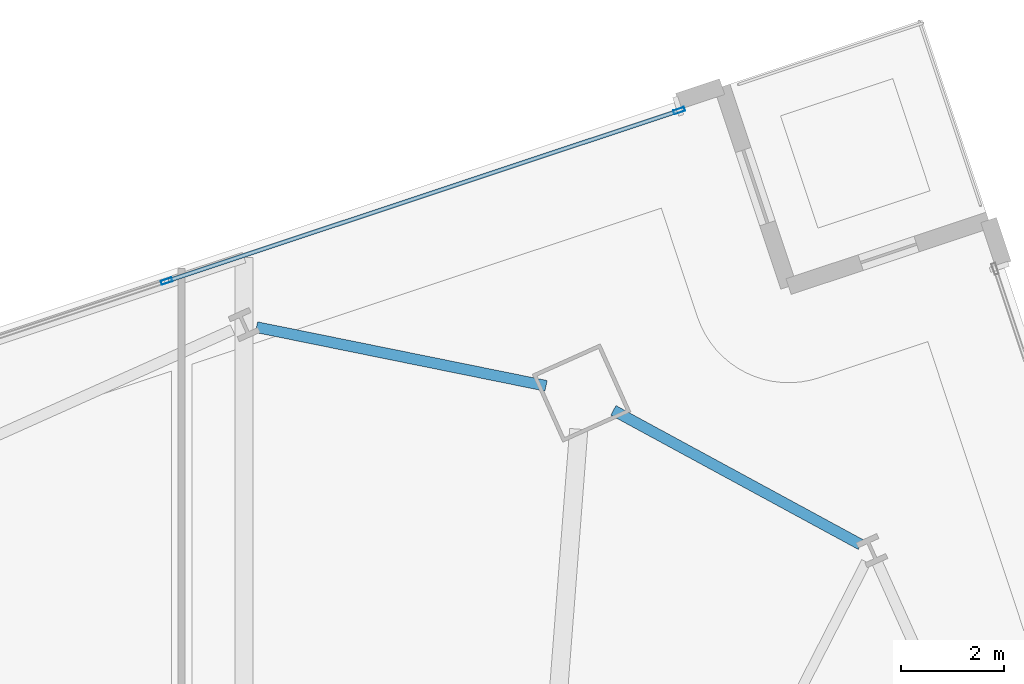
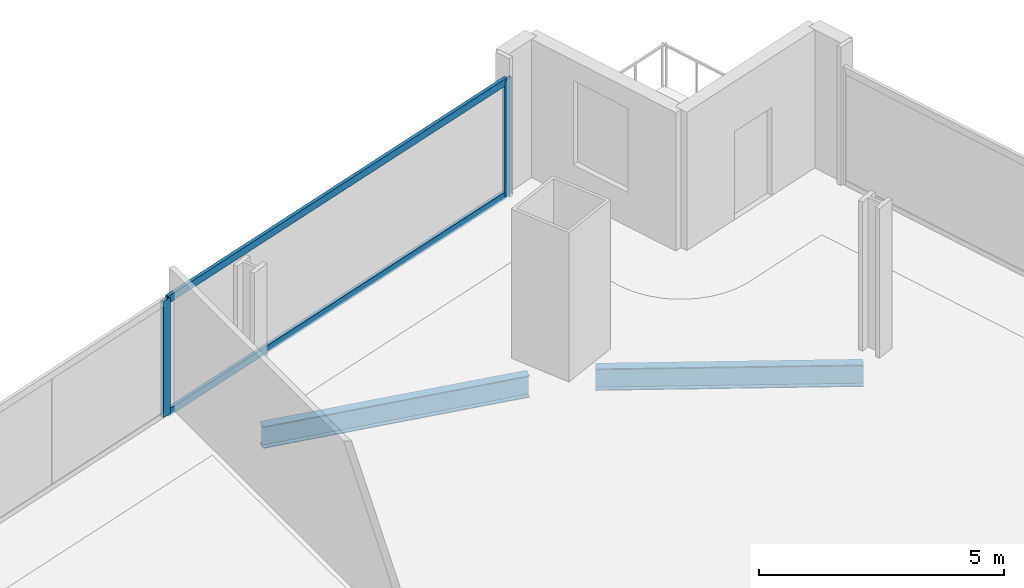
# One storey, part 22 of 34: 4 members, 2 beams, 1 element without a shape of its own.
"""IFC4 building model written with IfcOpenShell, lengths in metres."""

from ifc_helpers import new_model, si_unit, direction, frame, origin, origin_2d, place, context, subcontext, project, spatial, hollow_rectangle, i_section, extrude, material, material_profile, profile_set, type_object, element, aggregate, save


model = new_model("IFC4")

# Units and contexts
model_context = context("Model", 3, precision=1e-05, world=origin(), true_north=direction((0.0, 1.0)))
body_context = subcontext(model_context, "Body", "Model", "MODEL_VIEW")
ifc_project = project(units=[si_unit("LENGTHUNIT", "METRE"), si_unit("AREAUNIT", "SQUARE_METRE"), si_unit("VOLUMEUNIT", "CUBIC_METRE"), si_unit("PLANEANGLEUNIT", "RADIAN"), si_unit("MASSUNIT", "GRAM", prefix="KILO")], contexts=[model_context])

# Site, building, storey
site_placement = place(None, origin())
site = spatial("IfcSite", under=ifc_project, at=site_placement, CompositionType="ELEMENT")
building_placement = place(site_placement, origin())
building = spatial("IfcBuilding", under=site, at=building_placement, Name="Haldenkirk Collegiate Tower", CompositionType="ELEMENT")
storey_placement = place(building_placement, frame((0.0, 0.0, 90.449951171875)))
storey = spatial("IfcBuildingStorey", under=building, at=storey_placement, Name="L21", CompositionType="ELEMENT", Elevation=90.449951171875)

# Beams
ifc_material_1 = material(Name="Steel ASTM A992 Grade 50", Category="steel")
ifc_material_profile_1 = material_profile(ifc_material_1, i_section(OverallWidth=0.2119140625, OverallDepth=0.5439453125, WebThickness=0.01318359375, FlangeThickness=0.021240234375, at=origin_2d()), Name="W21X83")
ifc_profile_set_1 = profile_set([ifc_material_profile_1], Name="Steel ASTM A992 Grade 50")
beam_type = type_object("IfcBeamType", Name="BM-SPANDREL-W21X83", PredefinedType="SPANDREL", material=ifc_profile_set_1)
beam_1_placement = place(storey_placement, frame((51.714599609375, 47.66015625, -0.572021484375), z_axis=(-0.878835810931, 0.477124320723, 0.0), x_axis=(-0.477124320723, -0.878835810931, 0.0)))
element("IfcBeam", 1, at=beam_1_placement, inside=storey, type_object=beam_type, Name="L21 perimeter spandrel beam 08", PredefinedType="SPANDREL", context=body_context, shape_type="SweptSolid", body=[
    extrude(i_section(OverallWidth=0.2119140625, OverallDepth=0.5439453125, WebThickness=0.01318359375, FlangeThickness=0.021240234375, at=origin_2d()), origin(), (0.0, 0.0, 1.0), 5.477783203125),
])
beam_2_placement = place(storey_placement, frame((45.590087890625, 50.750244140625, -0.572021484375), z_axis=(-0.980069318183, 0.198655811786, 0.0), x_axis=(-0.198655811786, -0.980069318183, 0.0)))
element("IfcBeam", 2, at=beam_2_placement, inside=storey, type_object=beam_type, Name="L21 perimeter spandrel beam 09", PredefinedType="SPANDREL", context=body_context, shape_type="SweptSolid", body=[
    extrude(i_section(OverallWidth=0.2119140625, OverallDepth=0.5439453125, WebThickness=0.01318359375, FlangeThickness=0.021240234375, at=origin_2d()), origin(), (0.0, 0.0, 1.0), 5.747802734375),
])

# Curtain wall, members
ifc_material_2 = material(Name="Anodised architectural bronze aluminium", Category="aluminium")
curtain_wall_type = type_object("IfcCurtainWallType", Name="CW-SYS1-CONVEX-LOW", PredefinedType="USERDEFINED", material=ifc_material_2)
curtain_wall_placement = place(storey_placement, origin())
curtain_wall = element("IfcCurtainWall", 3, at=curtain_wall_placement, inside=storey, type_object=curtain_wall_type, Name="L21 Lower tower convex bronze-framed unitised curtain wall", ObjectType="UNITISED CURTAIN WALL", PredefinedType="USERDEFINED")
ifc_material_profile_2 = material_profile(ifc_material_2, hollow_rectangle(XDim=0.080078125, YDim=0.219970703125, WallThickness=0.0048828125, at=origin_2d()), Name="CW-MUL-1A")
ifc_profile_set_2 = profile_set([ifc_material_profile_2], Name="Anodised architectural bronze aluminium")
member_type_1 = type_object("IfcMemberType", Name="CW-MUL-1A", PredefinedType="MULLION", material=ifc_profile_set_2)
member_1_placement = place(storey_placement, frame((38.207763671875, 52.786376953125, 0.0), z_axis=(0.0, 0.0, 1.0), x_axis=(-0.315649744417, 0.9488757763, 0.0)))
member_1 = element("IfcMember", 4, at=member_1_placement, type_object=member_type_1, Name="CW-1A mullion 4", PredefinedType="MULLION", context=body_context, shape_type="SweptSolid", body=[
    extrude(hollow_rectangle(XDim=0.080078125, YDim=0.219970703125, WallThickness=0.0048828125, at=origin_2d()), origin(), (0.0, 0.0, 1.0), 2.901123046875),
])
member_2_placement = place(storey_placement, frame((48.180419921875, 56.103759765625, 0.0), z_axis=(0.0, 0.0, 1.0), x_axis=(-0.315649744417, 0.9488757763, 0.0)))
member_2 = element("IfcMember", 5, at=member_2_placement, type_object=member_type_1, Name="CW-1A mullion 5", PredefinedType="MULLION", context=body_context, shape_type="SweptSolid", body=[
    extrude(hollow_rectangle(XDim=0.080078125, YDim=0.219970703125, WallThickness=0.0048828125, at=origin_2d()), origin(), (0.0, 0.0, 1.0), 2.901123046875),
])
ifc_material_profile_3 = material_profile(ifc_material_2, hollow_rectangle(XDim=0.080078125, YDim=0.179931640625, WallThickness=0.0048828125, at=origin_2d()), Name="CW-TRN-1A")
ifc_profile_set_3 = profile_set([ifc_material_profile_3], Name="Anodised architectural bronze aluminium")
member_type_2 = type_object("IfcMemberType", Name="CW-TRN-1A", PredefinedType="USERDEFINED", material=ifc_profile_set_3)
member_3_placement = place(storey_placement, frame((38.245849609375, 52.798828125, 0.0400390625), z_axis=(0.948875065853, 0.315651880086, 0.0), x_axis=(-0.315651880086, 0.948875065853, 0.0)))
member_3 = element("IfcMember", 6, at=member_3_placement, type_object=member_type_2, Name="CW-1A transom 4.1", ObjectType="TRANSOM", PredefinedType="USERDEFINED", context=body_context, shape_type="SweptSolid", body=[
    extrude(hollow_rectangle(XDim=0.080078125, YDim=0.179931640625, WallThickness=0.0048828125, at=origin_2d()), origin(), (0.0, 0.0, 1.0), 10.429931640625),
])
member_4_placement = place(storey_placement, frame((38.245849609375, 52.798828125, 2.861083984375), z_axis=(0.948875065853, 0.315651880086, 0.0), x_axis=(-0.315651880086, 0.948875065853, 0.0)))
member_4 = element("IfcMember", 7, at=member_4_placement, type_object=member_type_2, Name="CW-1A transom 4.2", ObjectType="TRANSOM", PredefinedType="USERDEFINED", context=body_context, shape_type="SweptSolid", body=[
    extrude(hollow_rectangle(XDim=0.080078125, YDim=0.179931640625, WallThickness=0.0048828125, at=origin_2d()), origin(), (0.0, 0.0, 1.0), 10.429931640625),
])
aggregate(curtain_wall, [member_1, member_2, member_3, member_4])

save(model, "model.ifc")
